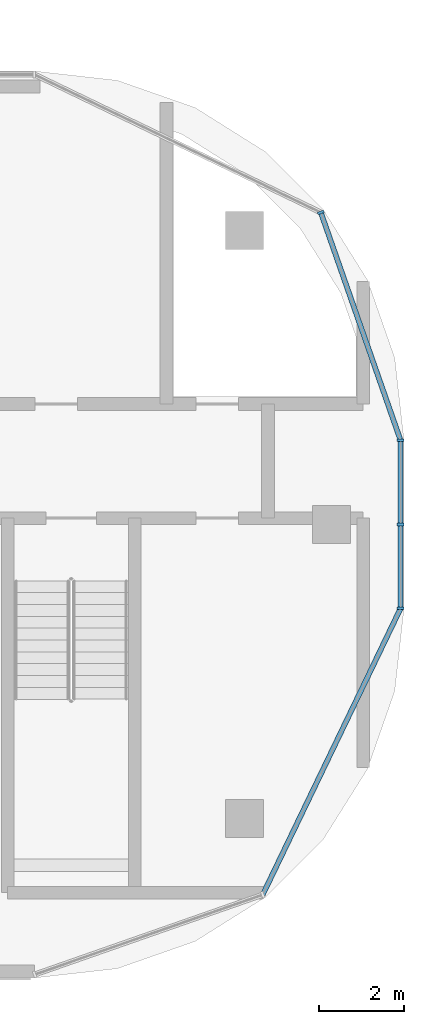
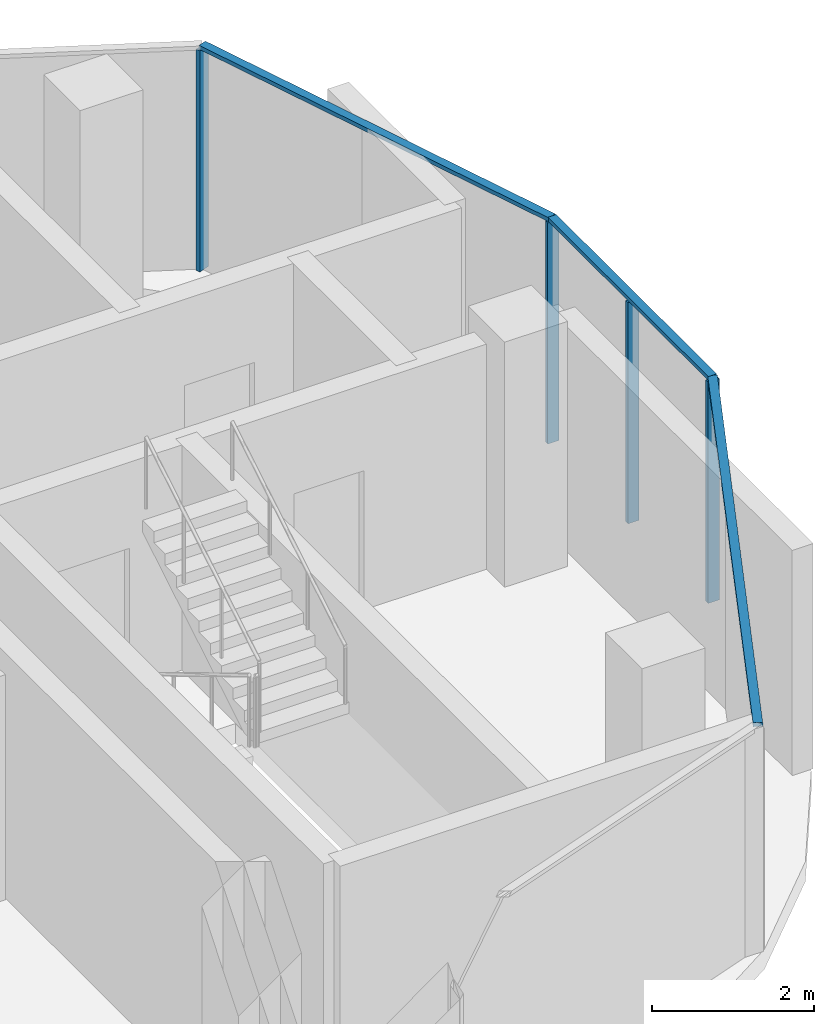
# One storey, part 7 of 19: 7 members, 3 elements without a shape of their own.
"""IFC4 building model written with IfcOpenShell, lengths in metres."""

import ifcopenshell
import ifcopenshell.guid

model = None  # the IFC model being written
_history = None  # IfcOwnerHistory: only IFC2X3 demands one
_inside = {}  # id of a spatial element -> (the spatial element, [elements in it])
_under = {}  # id of a project, library or spatial element -> (it, [spatial elements below it])
_declared = {}  # id of a project -> (the project, [libraries it declares])
_typed = {}  # id of a type object -> (the type object, [elements of that type])
_made_of = {}  # id of a material, layer set ... -> (it, [elements and type objects made of it])


def new_model(schema):
    """Start an empty IFC model of exactly this schema.

    Asked for "IFC4X3", IfcOpenShell would pick the latest addendum, in which some entities
    have other attributes; the version numbers below select the first issue.
    IFC2X3 requires an IfcOwnerHistory on every rooted entity: one is made here for all.
    """
    global model, _history
    if schema == "IFC4X3":
        model = ifcopenshell.file(schema_version=(4, 3, 0, 0))
    else:
        model = ifcopenshell.file(schema=schema)
    _inside.clear()
    _under.clear()
    _declared.clear()
    _typed.clear()
    _made_of.clear()
    _history = None
    if model.schema == "IFC2X3":
        org = make("IfcOrganization", Name="unknown")
        user = make(
            "IfcPersonAndOrganization",
            ThePerson=make("IfcPerson", FamilyName="unknown"),
            TheOrganization=org,
        )
        app = make(
            "IfcApplication",
            ApplicationDeveloper=org,
            Version="unknown",
            ApplicationFullName="unknown",
            ApplicationIdentifier="unknown",
        )
        _history = make(
            "IfcOwnerHistory",
            OwningUser=user,
            OwningApplication=app,
            ChangeAction="ADDED",
            CreationDate=0,
        )
    return model


def make(cls, **values):
    """One entity of the class cls with the attributes given. An attribute that is None is left unset."""
    return model.create_entity(
        cls, **{name: value for name, value in values.items() if value is not None}
    )


def rooted(cls, **values):
    """An entity with a GlobalId (a new one), such as an element, a storey or a relation."""
    return make(cls, GlobalId=ifcopenshell.guid.new(), OwnerHistory=_history, **values)


def si_unit(unit_type, name, prefix=None):
    """IfcSIUnit, for example si_unit("LENGTHUNIT", "METRE", prefix="MILLI")."""
    return make("IfcSIUnit", UnitType=unit_type, Prefix=prefix, Name=name)


def assignment(units):
    """IfcUnitAssignment: the units of a project."""
    return None if units is None else make("IfcUnitAssignment", Units=units)


def point(xyz):
    """IfcCartesianPoint."""
    return None if xyz is None else make("IfcCartesianPoint", Coordinates=xyz)


def direction(xyz):
    """IfcDirection."""
    return None if xyz is None else make("IfcDirection", DirectionRatios=xyz)


def frame(location, z_axis=None, x_axis=None):
    """IfcAxis2Placement3D, a coordinate frame: its origin and axes. An axis left out is left unset."""
    return make(
        "IfcAxis2Placement3D",
        Location=point(location),
        Axis=direction(z_axis),
        RefDirection=direction(x_axis),
    )


def frame_2d(location, x_axis=None):
    """IfcAxis2Placement2D, a coordinate frame in the plane: its origin and x axis."""
    return make(
        "IfcAxis2Placement2D", Location=point(location), RefDirection=direction(x_axis)
    )


def origin():
    """The frame at (0, 0, 0) with its axes left unset."""
    return frame((0.0, 0.0, 0.0))


def origin_2d():
    """The frame at (0, 0) in the plane with its x axis left unset."""
    return frame_2d((0.0, 0.0))


def place(relative_to, where):
    """IfcLocalPlacement: puts the frame where relative to a parent placement (None: the world)."""
    return make(
        "IfcLocalPlacement", PlacementRelTo=relative_to, RelativePlacement=where
    )


def context(
    kind, dimensions, precision=None, world=None, true_north=None, identifier=None
):
    """IfcGeometricRepresentationContext, for example the 3D "Model" context."""
    return make(
        "IfcGeometricRepresentationContext",
        ContextIdentifier=identifier,
        ContextType=kind,
        CoordinateSpaceDimension=dimensions,
        Precision=precision,
        WorldCoordinateSystem=world,
        TrueNorth=true_north,
    )


def subcontext(parent, identifier, kind, view, scale=None):
    """IfcGeometricRepresentationSubContext, for example "Body" below "Model"."""
    return make(
        "IfcGeometricRepresentationSubContext",
        ContextIdentifier=identifier,
        ContextType=kind,
        ParentContext=parent,
        TargetScale=scale,
        TargetView=view,
    )


def project(units=None, contexts=None):
    """IfcProject with its units and contexts."""
    return rooted(
        "IfcProject",
        Name="project",
        RepresentationContexts=contexts,
        UnitsInContext=assignment(units),
    )


def spatial(cls, under=None, at=None, **own):
    """A site, building, storey or space (cls), placed at a placement, below another one or the project."""
    s = rooted(cls, ObjectPlacement=at, **own)
    if under is not None:
        _under.setdefault(under.id(), (under, []))[1].append(s)
    return s


def profile(cls, at=None, kind="AREA", **sizes):
    """A parametric profile (cls). Its sizes go by their IFC names, for example OverallWidth=200.0."""
    return make(cls, ProfileType=kind, Position=at, **sizes)


def rectangle(**sizes):
    """IfcRectangleProfileDef."""
    return profile("IfcRectangleProfileDef", **sizes)


def extrude(swept, where, along, depth):
    """IfcExtrudedAreaSolid: the profile swept, set in the frame where, extruded along a direction by depth."""
    return make(
        "IfcExtrudedAreaSolid",
        SweptArea=swept,
        Position=where,
        ExtrudedDirection=direction(along),
        Depth=depth,
    )


def shape(context_of_items, identifier, shape_type, items):
    """IfcShapeRepresentation: the items that make up one representation, for example the "Body"."""
    return make(
        "IfcShapeRepresentation",
        ContextOfItems=context_of_items,
        RepresentationIdentifier=identifier,
        RepresentationType=shape_type,
        Items=items,
    )


def material(Name=None, Category=None):
    """IfcMaterial."""
    return make("IfcMaterial", Name=Name, Category=Category)


def material_profile(
    of_material, cross_section, Name=None, Category=None, Priority=None
):
    """IfcMaterialProfile: a cross section and its material."""
    return make(
        "IfcMaterialProfile",
        Name=Name,
        Material=of_material,
        Profile=cross_section,
        Priority=Priority,
        Category=Category,
    )


def profile_set(profiles, Name=None, composite=None):
    """IfcMaterialProfileSet."""
    return make(
        "IfcMaterialProfileSet",
        Name=Name,
        MaterialProfiles=profiles,
        CompositeProfile=composite,
    )


def made_of(thing, what):
    """Note that an element or type object is made of a material, layer set ...; save() writes the relation."""
    if what is not None:
        _made_of.setdefault(what.id(), (what, []))[1].append(thing)
    return thing


def type_object(cls, material=None, **own):
    """A type object (cls), such as IfcWallType, which elements share."""
    return made_of(rooted(cls, **own), material)


def element(
    cls,
    number,
    at=None,
    inside=None,
    cuts=None,
    type_object=None,
    material=None,
    context=None,
    identifier="Body",
    shape_type=None,
    held_by="IfcProductDefinitionShape",
    body=None,
    shapes=None,
    **own,
):
    """One element of the class cls, such as IfcWall. Its Tag is "e" and its number.

    at: its placement. inside: the storey or other place that contains it. cuts: it is an
    opening in that element (IfcRelVoidsElement). A single representation is given by context,
    identifier, shape_type and body (its items); several are given by shapes. held_by: the class
    of the entity that holds the representations. save() writes the other relations.
    """
    e = rooted(cls, Tag="e%d" % number, ObjectPlacement=at, **own)
    if body is not None:
        shapes = [shape(context, identifier, shape_type, body)]
    if shapes is not None:
        e.Representation = make(held_by, Representations=shapes)
    if inside is not None:
        _inside.setdefault(inside.id(), (inside, []))[1].append(e)
    if cuts is not None:
        rooted(
            "IfcRelVoidsElement", RelatingBuildingElement=cuts, RelatedOpeningElement=e
        )
    if type_object is not None:
        _typed.setdefault(type_object.id(), (type_object, []))[1].append(e)
    return made_of(e, material)


def aggregate(whole, parts):
    """IfcRelAggregates: a whole, such as a stair, and the parts it consists of."""
    return rooted("IfcRelAggregates", RelatingObject=whole, RelatedObjects=parts)


def save(model, path):
    """Write the relations noted so far, then the file.

    IfcRelAggregates (storeys below a building ...), IfcRelContainedInSpatialStructure (elements
    in a storey), IfcRelDefinesByType, IfcRelAssociatesMaterial and IfcRelDeclares: one each for
    every whole, place, type object, material and project.
    """
    for whole, parts in _under.values():
        aggregate(whole, parts)
    for where, things in _inside.values():
        rooted(
            "IfcRelContainedInSpatialStructure",
            RelatedElements=things,
            RelatingStructure=where,
        )
    for kind, things in _typed.values():
        rooted("IfcRelDefinesByType", RelatedObjects=things, RelatingType=kind)
    for what, things in _made_of.values():
        rooted("IfcRelAssociatesMaterial", RelatedObjects=things, RelatingMaterial=what)
    for by, libraries in _declared.values():
        rooted("IfcRelDeclares", RelatingContext=by, RelatedDefinitions=libraries)
    model.write(path)


model = new_model("IFC4")

# Units and contexts
model_context = context("Model", 3, precision=1e-05, world=origin(), true_north=direction((0.0, 1.0)))
body_context = subcontext(model_context, "Body", "Model", "MODEL_VIEW")
ifc_project = project(units=[si_unit("LENGTHUNIT", "METRE"), si_unit("AREAUNIT", "SQUARE_METRE"), si_unit("VOLUMEUNIT", "CUBIC_METRE"), si_unit("PLANEANGLEUNIT", "RADIAN"), si_unit("MASSUNIT", "GRAM", prefix="KILO")], contexts=[model_context])

# Site, building, storey
site_placement = place(None, origin())
site = spatial("IfcSite", under=ifc_project, at=site_placement, CompositionType="ELEMENT")
building_placement = place(site_placement, origin())
building = spatial("IfcBuilding", under=site, at=building_placement, Name="Ogive Portal Towers", CompositionType="ELEMENT")
storey_placement = place(building_placement, frame((0.0, 0.0, 199.5)))
storey = spatial("IfcBuildingStorey", under=building, at=storey_placement, Name="L49", CompositionType="ELEMENT", Elevation=199.5)

# Curtain wall, members
ifc_material_1 = material(Name="Glass, clear low-iron insulated glazing", Category="glass")
curtain_wall_type = type_object("IfcCurtainWallType", Name="CW FRONT RIBBON 4500", PredefinedType="NOTDEFINED", material=ifc_material_1)
curtain_wall_1_placement = place(storey_placement, origin())
curtain_wall_1 = element("IfcCurtainWall", 1, at=curtain_wall_1_placement, inside=storey, type_object=curtain_wall_type, Name="A:L49:f10:cw0", PredefinedType="NOTDEFINED")
ifc_material_2 = material(Name="Aluminium 6063 anodised", Category="aluminium")
ifc_material_profile_1 = material_profile(ifc_material_2, rectangle(XDim=0.159912109375, YDim=0.06005859375, at=origin_2d()), Name="AL 60x160")
ifc_profile_set_1 = profile_set([ifc_material_profile_1], Name="Aluminium 6063 anodised")
member_type_1 = type_object("IfcMemberType", Name="CW MULLION 60x160", PredefinedType="MULLION", material=ifc_profile_set_1)
member_1_placement = place(storey_placement, frame((96.135009765625, 28.518310546875, 0.0), z_axis=(0.0, 0.0, 1.0), x_axis=(-1.0, 0.0, 0.0)))
member_1 = element("IfcMember", 2, at=member_1_placement, type_object=member_type_1, Name="mullion", PredefinedType="MULLION", context=body_context, shape_type="SweptSolid", body=[
    extrude(rectangle(XDim=0.159912109375, YDim=0.06005859375, at=origin_2d()), origin(), (0.0, 0.0, 1.0), 3.340087890625),
])
member_2_placement = place(storey_placement, frame((96.135009765625, 30.5, 0.0), z_axis=(0.0, 0.0, 1.0), x_axis=(-1.0, 0.0, 0.0)))
member_2 = element("IfcMember", 3, at=member_2_placement, type_object=member_type_1, Name="mullion", PredefinedType="MULLION", context=body_context, shape_type="SweptSolid", body=[
    extrude(rectangle(XDim=0.159912109375, YDim=0.06005859375, at=origin_2d()), origin(), (0.0, 0.0, 1.0), 3.340087890625),
])
member_3_placement = place(storey_placement, frame((96.135009765625, 32.486328125, 0.0), z_axis=(0.0, 0.0, 1.0), x_axis=(-1.0, 0.0, 0.0)))
member_3 = element("IfcMember", 4, at=member_3_placement, type_object=member_type_1, Name="mullion", PredefinedType="MULLION", context=body_context, shape_type="SweptSolid", body=[
    extrude(rectangle(XDim=0.159912109375, YDim=0.06005859375, at=origin_2d()), origin(), (0.0, 0.0, 1.0), 3.340087890625),
])

# Curtain wall, member
curtain_wall_2_placement = place(storey_placement, origin())
curtain_wall_2 = element("IfcCurtainWall", 5, at=curtain_wall_2_placement, inside=storey, type_object=curtain_wall_type, Name="A:L49:f11:cwa", PredefinedType="NOTDEFINED")
member_4_placement = place(storey_placement, frame((94.2490234375, 37.8759765625, 0.0), z_axis=(0.0, 0.0, 1.0), x_axis=(-0.943883330307, -0.33027906196, 0.0)))
member_4 = element("IfcMember", 6, at=member_4_placement, type_object=member_type_1, Name="mullion", PredefinedType="MULLION", context=body_context, shape_type="SweptSolid", body=[
    extrude(rectangle(XDim=0.159912109375, YDim=0.06005859375, at=origin_2d()), origin(), (0.0, 0.0, 1.0), 3.340087890625),
])

# Member
ifc_material_profile_2 = material_profile(ifc_material_2, rectangle(XDim=0.1201171875, YDim=0.06005859375, at=origin_2d()), Name="AL 120x60")
ifc_profile_set_2 = profile_set([ifc_material_profile_2], Name="Aluminium 6063 anodised")
member_type_2 = type_object("IfcMemberType", Name="CW TRANSOM 60x120", PredefinedType="USERDEFINED", material=ifc_profile_set_2)
member_5_placement = place(storey_placement, frame((96.135009765625, 28.518310546875, 3.3701171875), z_axis=(0.0, 1.0, 0.0), x_axis=(-1.0, 0.0, 0.0)))
member_5 = element("IfcMember", 7, at=member_5_placement, type_object=member_type_2, Name="transom", ObjectType="TRANSOM", PredefinedType="USERDEFINED", context=body_context, shape_type="SweptSolid", body=[
    extrude(rectangle(XDim=0.1201171875, YDim=0.06005859375, at=origin_2d()), origin(), (0.0, 0.0, 1.0), 3.968017578125),
])

aggregate(curtain_wall_1, [member_5, member_1, member_2, member_3])

# Curtain wall, member
curtain_wall_3_placement = place(storey_placement, origin())
curtain_wall_3 = element("IfcCurtainWall", 8, at=curtain_wall_3_placement, inside=storey, type_object=curtain_wall_type, Name="A:L49:f08:cwa", PredefinedType="NOTDEFINED")
member_6_placement = place(storey_placement, frame((92.8759765625, 21.7509765625, 3.3701171875), z_axis=(0.433889890445, 0.900965905554, 0.0), x_axis=(-0.900965905554, 0.433889890445, 0.0)))
member_6 = element("IfcMember", 9, at=member_6_placement, type_object=member_type_2, Name="transom", ObjectType="TRANSOM", PredefinedType="USERDEFINED", context=body_context, shape_type="SweptSolid", body=[
    extrude(rectangle(XDim=0.1201171875, YDim=0.06005859375, at=origin_2d()), origin(), (0.0, 0.0, 1.0), 7.51123046875),
])
aggregate(curtain_wall_3, [member_6])

# Member
member_7_placement = place(storey_placement, frame((96.135009765625, 32.486328125, 3.3701171875), z_axis=(-0.330289480189, 0.943879684746, 0.0), x_axis=(-0.943879684746, -0.330289480189, 0.0)))
member_7 = element("IfcMember", 10, at=member_7_placement, type_object=member_type_2, Name="transom", ObjectType="TRANSOM", PredefinedType="USERDEFINED", context=body_context, shape_type="SweptSolid", body=[
    extrude(rectangle(XDim=0.1201171875, YDim=0.06005859375, at=origin_2d()), origin(), (0.0, 0.0, 1.0), 5.710205078125),
])

aggregate(curtain_wall_2, [member_7, member_4])

save(model, "model.ifc")
